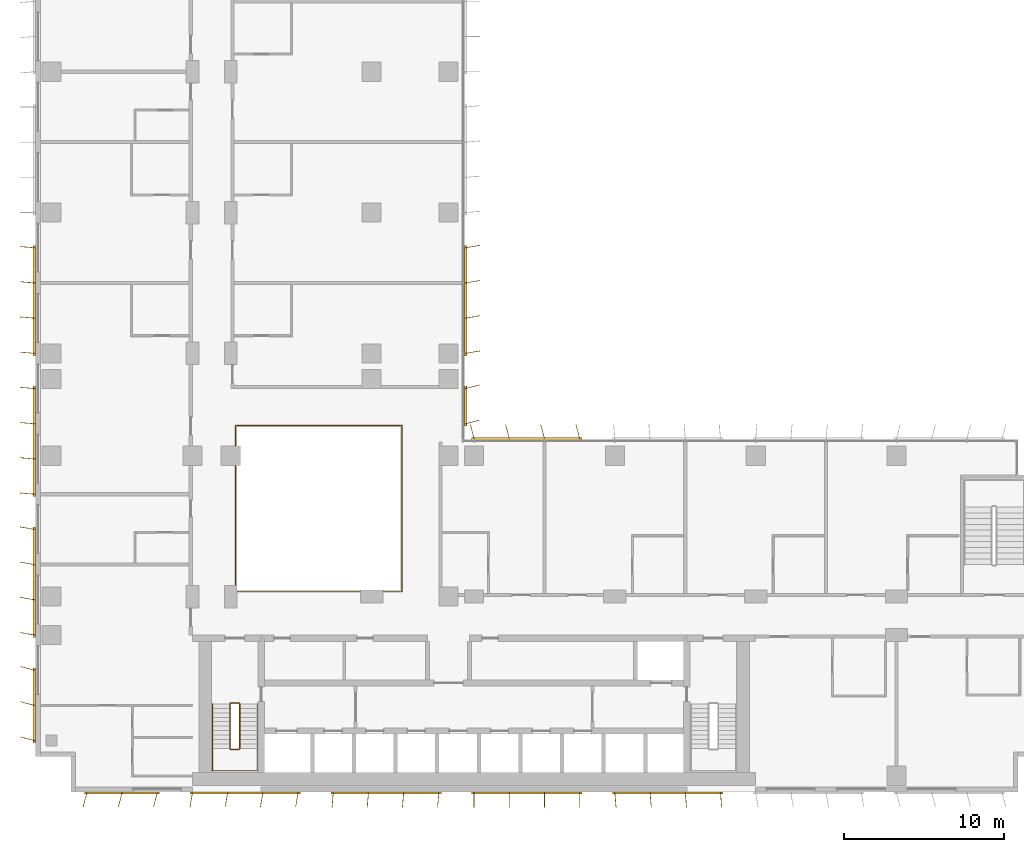
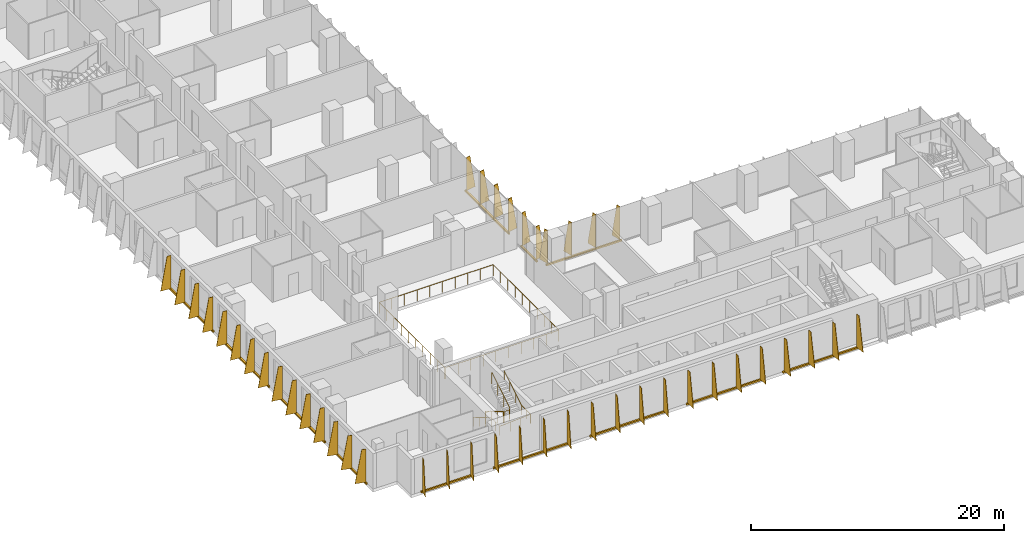
# One storey, part 19 of 22: 12 shading devices, 3 railings.
"""IFC4 building model written with IfcOpenShell, lengths in metres."""

from ifc_helpers import new_model, si_unit, direction, frame, origin, origin_2d, place, context, subcontext, project, spatial, polyline, rectangle, circle, outline, extrude, source, transform, mapped, material, layer, layer_set, type_object, element, save


model = new_model("IFC4")

# Units and contexts
model_context = context("Model", 3, precision=1e-05, world=origin(), true_north=direction((0.0, 1.0)))
body_context = subcontext(model_context, "Body", "Model", "MODEL_VIEW")
ifc_project = project(units=[si_unit("LENGTHUNIT", "METRE"), si_unit("AREAUNIT", "SQUARE_METRE"), si_unit("VOLUMEUNIT", "CUBIC_METRE"), si_unit("PLANEANGLEUNIT", "RADIAN"), si_unit("MASSUNIT", "GRAM", prefix="KILO")], contexts=[model_context])

# Site, building, storey
site_placement = place(None, origin())
site = spatial("IfcSite", under=ifc_project, at=site_placement, CompositionType="ELEMENT")
building_placement = place(site_placement, origin())
building = spatial("IfcBuilding", under=site, at=building_placement, Name="Kemantara Hotel Tower", CompositionType="ELEMENT")
storey_placement = place(building_placement, frame((0.0, 0.0, 87.10009765625)))
storey = spatial("IfcBuildingStorey", under=building, at=storey_placement, Name="L20", CompositionType="ELEMENT", Elevation=87.10009765625)

# Railings
ifc_material_1 = material(Name="Stainless steel and laminated glass balustrade", Category="steel")
railing_type_1 = type_object("IfcRailingType", Name="ATRIUM GUARD 1100", PredefinedType="GUARDRAIL", material=ifc_material_1)
railing_1_placement = place(storey_placement, frame((12.56005859375, 12.5, 0.0)))
element("IfcRailing", 1, at=railing_1_placement, inside=storey, type_object=railing_type_1, Name="ATRIUM GUARD L20", PredefinedType="GUARDRAIL", context=body_context, shape_type="SweptSolid", body=[
    extrude(circle(Radius=0.02490234375, at=origin_2d()), frame((0.0, 0.0, 1.0751953125), z_axis=(1.0, 0.0, 0.0), x_axis=(0.0, 1.0, 0.0)), (0.0, 0.0, 1.0), 10.33984375),
    extrude(circle(Radius=0.02490234375, at=origin_2d()), frame((10.33984375, 0.0, 1.0751953125), z_axis=(0.0, 1.0, 0.0), x_axis=(-1.0, 0.0, 0.0)), (0.0, 0.0, 1.0), 10.39990234375),
    extrude(circle(Radius=0.02490234375, at=origin_2d()), frame((10.33984375, 10.39990234375, 1.0751953125), z_axis=(-1.0, 0.0, 0.0), x_axis=(0.0, -1.0, 0.0)), (0.0, 0.0, 1.0), 10.39990234375),
    extrude(circle(Radius=0.02490234375, at=origin_2d()), frame((-0.06005859375, 10.39990234375, 1.0751953125), z_axis=(0.0, -1.0, 0.0), x_axis=(1.0, 0.0, 0.0)), (0.0, 0.0, 1.0), 10.39990234375),
    extrude(circle(Radius=0.02001953125, at=origin_2d()), origin(), (0.0, 0.0, 1.0), 1.050048828125),
    extrude(circle(Radius=0.02001953125, at=origin_2d()), frame((1.14892578125, 0.0, 0.0)), (0.0, 0.0, 1.0), 1.050048828125),
    extrude(circle(Radius=0.02001953125, at=origin_2d()), frame((2.2978515625, 0.0, 0.0)), (0.0, 0.0, 1.0), 1.050048828125),
    extrude(circle(Radius=0.02001953125, at=origin_2d()), frame((3.446533203125, 0.0, 0.0)), (0.0, 0.0, 1.0), 1.050048828125),
    extrude(circle(Radius=0.02001953125, at=origin_2d()), frame((4.595458984375, 0.0, 0.0)), (0.0, 0.0, 1.0), 1.050048828125),
    extrude(circle(Radius=0.02001953125, at=origin_2d()), frame((5.744384765625, 0.0, 0.0)), (0.0, 0.0, 1.0), 1.050048828125),
    extrude(circle(Radius=0.02001953125, at=origin_2d()), frame((6.893310546875, 0.0, 0.0)), (0.0, 0.0, 1.0), 1.050048828125),
    extrude(circle(Radius=0.02001953125, at=origin_2d()), frame((8.0419921875, 0.0, 0.0)), (0.0, 0.0, 1.0), 1.050048828125),
    extrude(circle(Radius=0.02001953125, at=origin_2d()), frame((9.19091796875, 0.0, 0.0)), (0.0, 0.0, 1.0), 1.050048828125),
    extrude(circle(Radius=0.02001953125, at=origin_2d()), frame((10.33984375, 0.0, 0.0)), (0.0, 0.0, 1.0), 1.050048828125),
    extrude(circle(Radius=0.02001953125, at=origin_2d()), frame((10.33984375, 1.155517578125, 0.0)), (0.0, 0.0, 1.0), 1.050048828125),
    extrude(circle(Radius=0.02001953125, at=origin_2d()), frame((10.33984375, 2.31103515625, 0.0)), (0.0, 0.0, 1.0), 1.050048828125),
    extrude(circle(Radius=0.02001953125, at=origin_2d()), frame((10.33984375, 3.466552734375, 0.0)), (0.0, 0.0, 1.0), 1.050048828125),
    extrude(circle(Radius=0.02001953125, at=origin_2d()), frame((10.33984375, 4.6220703125, 0.0)), (0.0, 0.0, 1.0), 1.050048828125),
    extrude(circle(Radius=0.02001953125, at=origin_2d()), frame((10.33984375, 5.77783203125, 0.0)), (0.0, 0.0, 1.0), 1.050048828125),
    extrude(circle(Radius=0.02001953125, at=origin_2d()), frame((10.33984375, 6.933349609375, 0.0)), (0.0, 0.0, 1.0), 1.050048828125),
    extrude(circle(Radius=0.02001953125, at=origin_2d()), frame((10.33984375, 8.0888671875, 0.0)), (0.0, 0.0, 1.0), 1.050048828125),
    extrude(circle(Radius=0.02001953125, at=origin_2d()), frame((10.33984375, 9.244384765625, 0.0)), (0.0, 0.0, 1.0), 1.050048828125),
    extrude(circle(Radius=0.02001953125, at=origin_2d()), frame((10.33984375, 10.39990234375, 0.0)), (0.0, 0.0, 1.0), 1.050048828125),
    extrude(circle(Radius=0.02001953125, at=origin_2d()), frame((9.184326171875, 10.39990234375, 0.0)), (0.0, 0.0, 1.0), 1.050048828125),
    extrude(circle(Radius=0.02001953125, at=origin_2d()), frame((8.02880859375, 10.39990234375, 0.0)), (0.0, 0.0, 1.0), 1.050048828125),
    extrude(circle(Radius=0.02001953125, at=origin_2d()), frame((6.873291015625, 10.39990234375, 0.0)), (0.0, 0.0, 1.0), 1.050048828125),
    extrude(circle(Radius=0.02001953125, at=origin_2d()), frame((5.7177734375, 10.39990234375, 0.0)), (0.0, 0.0, 1.0), 1.050048828125),
    extrude(circle(Radius=0.02001953125, at=origin_2d()), frame((4.56201171875, 10.39990234375, 0.0)), (0.0, 0.0, 1.0), 1.050048828125),
    extrude(circle(Radius=0.02001953125, at=origin_2d()), frame((3.406494140625, 10.39990234375, 0.0)), (0.0, 0.0, 1.0), 1.050048828125),
    extrude(circle(Radius=0.02001953125, at=origin_2d()), frame((2.2509765625, 10.39990234375, 0.0)), (0.0, 0.0, 1.0), 1.050048828125),
    extrude(circle(Radius=0.02001953125, at=origin_2d()), frame((1.095458984375, 10.39990234375, 0.0)), (0.0, 0.0, 1.0), 1.050048828125),
    extrude(circle(Radius=0.02001953125, at=origin_2d()), frame((-0.06005859375, 10.39990234375, 0.0)), (0.0, 0.0, 1.0), 1.050048828125),
    extrude(circle(Radius=0.02001953125, at=origin_2d()), frame((-0.06005859375, 9.244384765625, 0.0)), (0.0, 0.0, 1.0), 1.050048828125),
    extrude(circle(Radius=0.02001953125, at=origin_2d()), frame((-0.06005859375, 8.0888671875, 0.0)), (0.0, 0.0, 1.0), 1.050048828125),
    extrude(circle(Radius=0.02001953125, at=origin_2d()), frame((-0.06005859375, 6.933349609375, 0.0)), (0.0, 0.0, 1.0), 1.050048828125),
    extrude(circle(Radius=0.02001953125, at=origin_2d()), frame((-0.06005859375, 5.77783203125, 0.0)), (0.0, 0.0, 1.0), 1.050048828125),
    extrude(circle(Radius=0.02001953125, at=origin_2d()), frame((-0.06005859375, 4.6220703125, 0.0)), (0.0, 0.0, 1.0), 1.050048828125),
    extrude(circle(Radius=0.02001953125, at=origin_2d()), frame((-0.06005859375, 3.466552734375, 0.0)), (0.0, 0.0, 1.0), 1.050048828125),
    extrude(circle(Radius=0.02001953125, at=origin_2d()), frame((-0.06005859375, 2.31103515625, 0.0)), (0.0, 0.0, 1.0), 1.050048828125),
    extrude(circle(Radius=0.02001953125, at=origin_2d()), frame((-0.06005859375, 1.155517578125, 0.0)), (0.0, 0.0, 1.0), 1.050048828125),
    extrude(circle(Radius=0.02001953125, at=origin_2d()), frame((-0.06005859375, 0.0, 0.0)), (0.0, 0.0, 1.0), 1.050048828125),
])
ifc_material_2 = material(Name="Stainless steel balustrade", Category="steel")
railing_type_2 = type_object("IfcRailingType", Name="Stair guard 1100 mm", PredefinedType="GUARDRAIL", material=ifc_material_2)
railing_2_placement = place(storey_placement, frame((12.75, 5.5, 3.699951171875)))
element("IfcRailing", 2, at=railing_2_placement, inside=storey, type_object=railing_type_2, Name="L20 ST1 stair guard 1", PredefinedType="GUARDRAIL", context=body_context, shape_type="SweptSolid", body=[
    extrude(circle(Radius=0.02392578125, at=origin_2d()), frame((0.0, 0.0, 1.076171875), z_axis=(0.0, -0.857242210791, -0.514913383045), x_axis=(1.0, 0.0, 0.0)), (0.0, 0.0, 1.0), 3.266357421875),
    extrude(circle(Radius=0.02392578125, at=origin_2d()), frame((0.0, -2.800048828125, -0.60595703125), z_axis=(-0.274243871929, -0.274243871929, -0.92172696468), x_axis=(0.707106781187, -0.707106781187, 0.0)), (0.0, 0.0, 1.0), 0.1826171875),
    extrude(circle(Radius=0.02392578125, at=origin_2d()), frame((-0.050048828125, -2.85009765625, -0.77392578125), z_axis=(-1.0, 0.0, 0.0), x_axis=(0.0, -1.0, 0.0)), (0.0, 0.0, 1.0), 0.5),
    extrude(circle(Radius=0.02392578125, at=origin_2d()), frame((-0.550048828125, -2.85009765625, -0.77392578125), z_axis=(-0.707106781187, 0.707106781187, 0.0), x_axis=(-0.707106781187, -0.707106781187, 0.0)), (0.0, 0.0, 1.0), 0.07080078125),
    extrude(circle(Radius=0.02392578125, at=origin_2d()), frame((-0.60009765625, -2.800048828125, -0.77392578125), z_axis=(0.0, 0.857242210791, -0.514913383045), x_axis=(-1.0, 0.0, 0.0)), (0.0, 0.0, 1.0), 3.266357421875),
    extrude(circle(Radius=0.02392578125, at=origin_2d()), frame((-0.60009765625, 0.0, -2.4560546875), z_axis=(0.274582412415, 0.274582412415, -0.921525364591), x_axis=(-0.707106781187, 0.707106781187, 0.0)), (0.0, 0.0, 1.0), 0.182373046875),
    extrude(circle(Radius=0.02392578125, at=origin_2d()), frame((-0.550048828125, 0.050048828125, -2.6240234375), z_axis=(1.0, 0.0, 0.0), x_axis=(0.0, 1.0, 0.0)), (0.0, 0.0, 1.0), 0.5),
    extrude(circle(Radius=0.02099609375, at=origin_2d()), origin(), (0.0, 0.0, 1.0), 1.052001953125),
    extrude(circle(Radius=0.02099609375, at=origin_2d()), frame((0.0, -0.933349609375, -0.560546875)), (0.0, 0.0, 1.0), 1.052001953125),
    extrude(circle(Radius=0.02099609375, at=origin_2d()), frame((0.0, -1.86669921875, -1.121337890625)), (0.0, 0.0, 1.0), 1.052001953125),
    extrude(circle(Radius=0.02099609375, at=origin_2d()), frame((0.0, -2.800048828125, -1.681884765625)), (0.0, 0.0, 1.0), 1.052001953125),
    extrude(circle(Radius=0.02099609375, at=origin_2d()), frame((-0.050048828125, -2.85009765625, -1.85009765625)), (0.0, 0.0, 1.0), 1.052001953125),
    extrude(circle(Radius=0.02099609375, at=origin_2d()), frame((-0.550048828125, -2.85009765625, -1.85009765625)), (0.0, 0.0, 1.0), 1.052001953125),
    extrude(circle(Radius=0.02099609375, at=origin_2d()), frame((-0.60009765625, -2.800048828125, -1.85009765625)), (0.0, 0.0, 1.0), 1.052001953125),
    extrude(circle(Radius=0.02099609375, at=origin_2d()), frame((-0.60009765625, -1.86669921875, -2.41064453125)), (0.0, 0.0, 1.0), 1.052001953125),
    extrude(circle(Radius=0.02099609375, at=origin_2d()), frame((-0.60009765625, -0.933349609375, -2.971435546875)), (0.0, 0.0, 1.0), 1.052001953125),
    extrude(circle(Radius=0.02099609375, at=origin_2d()), frame((-0.60009765625, 0.0, -3.531982421875)), (0.0, 0.0, 1.0), 1.052001953125),
    extrude(circle(Radius=0.02099609375, at=origin_2d()), frame((-0.550048828125, 0.050048828125, -3.699951171875)), (0.0, 0.0, 1.0), 1.052001953125),
    extrude(circle(Radius=0.02099609375, at=origin_2d()), frame((-0.050048828125, 0.050048828125, -3.699951171875)), (0.0, 0.0, 1.0), 1.052001953125),
])
railing_type_3 = type_object("IfcRailingType", Name="Stair handrail 900 mm", PredefinedType="HANDRAIL", material=ifc_material_2)
railing_3_placement = place(storey_placement, frame((11.050048828125, 5.5, 0.16796875)))
element("IfcRailing", 3, at=railing_3_placement, inside=storey, type_object=railing_type_3, Name="L20 ST1 stair handrail 1", PredefinedType="HANDRAIL", context=body_context, shape_type="SweptSolid", body=[
    extrude(circle(Radius=0.02392578125, at=origin_2d()), frame((0.0, 0.0, 0.8759765625), z_axis=(0.0, -0.857242210791, 0.514913383045), x_axis=(1.0, 0.0, 0.0)), (0.0, 0.0, 1.0), 3.266357421875),
    extrude(circle(Radius=0.02392578125, at=origin_2d()), frame((0.0, -2.800048828125, 2.5576171875), z_axis=(0.0, -1.0, 0.0), x_axis=(1.0, 0.0, 0.0)), (0.0, 0.0, 1.0), 1.3798828125),
    extrude(circle(Radius=0.02392578125, at=origin_2d()), frame((0.0, -4.179931640625, 2.5576171875), z_axis=(0.998200367801, 0.0, 0.059966871865), x_axis=(0.0, 1.0, 0.0)), (0.0, 0.0, 1.0), 2.80517578125),
    extrude(circle(Radius=0.02392578125, at=origin_2d()), frame((2.800048828125, -4.179931640625, 2.72607421875), z_axis=(0.0, 1.0, 0.0), x_axis=(-1.0, 0.0, 0.0)), (0.0, 0.0, 1.0), 1.3798828125),
    extrude(circle(Radius=0.02392578125, at=origin_2d()), frame((2.800048828125, -2.800048828125, 2.72607421875), z_axis=(0.0, 0.857242210791, 0.514913383045), x_axis=(-1.0, 0.0, 0.0)), (0.0, 0.0, 1.0), 3.266357421875),
    extrude(circle(Radius=0.02099609375, at=origin_2d()), origin(), (0.0, 0.0, 1.0), 0.851806640625),
    extrude(circle(Radius=0.02099609375, at=origin_2d()), frame((0.0, -0.933349609375, 0.560546875)), (0.0, 0.0, 1.0), 0.851806640625),
    extrude(circle(Radius=0.02099609375, at=origin_2d()), frame((0.0, -1.86669921875, 1.121337890625)), (0.0, 0.0, 1.0), 0.851806640625),
    extrude(circle(Radius=0.02099609375, at=origin_2d()), frame((0.0, -2.800048828125, 1.681884765625)), (0.0, 0.0, 1.0), 0.851806640625),
    extrude(circle(Radius=0.02099609375, at=origin_2d()), frame((0.0, -3.489990234375, 1.681884765625)), (0.0, 0.0, 1.0), 0.851806640625),
    extrude(circle(Radius=0.02099609375, at=origin_2d()), frame((0.0, -4.179931640625, 1.681884765625)), (0.0, 0.0, 1.0), 0.851806640625),
    extrude(circle(Radius=0.02099609375, at=origin_2d()), frame((0.933349609375, -4.179931640625, 1.738037109375)), (0.0, 0.0, 1.0), 0.851806640625),
    extrude(circle(Radius=0.02099609375, at=origin_2d()), frame((1.86669921875, -4.179931640625, 1.7939453125)), (0.0, 0.0, 1.0), 0.851806640625),
    extrude(circle(Radius=0.02099609375, at=origin_2d()), frame((2.800048828125, -4.179931640625, 1.85009765625)), (0.0, 0.0, 1.0), 0.851806640625),
    extrude(circle(Radius=0.02099609375, at=origin_2d()), frame((2.800048828125, -3.489990234375, 1.85009765625)), (0.0, 0.0, 1.0), 0.851806640625),
    extrude(circle(Radius=0.02099609375, at=origin_2d()), frame((2.800048828125, -2.800048828125, 1.85009765625)), (0.0, 0.0, 1.0), 0.851806640625),
    extrude(circle(Radius=0.02099609375, at=origin_2d()), frame((2.800048828125, -1.86669921875, 2.41064453125)), (0.0, 0.0, 1.0), 0.851806640625),
    extrude(circle(Radius=0.02099609375, at=origin_2d()), frame((2.800048828125, -0.933349609375, 2.971435546875)), (0.0, 0.0, 1.0), 0.851806640625),
    extrude(circle(Radius=0.02099609375, at=origin_2d()), frame((2.800048828125, 0.0, 3.531982421875)), (0.0, 0.0, 1.0), 0.851806640625),
])

# Shading devices
ifc_material_3 = material(Name="Perforated aluminium plate 4 mm bronze anodised", Category="aluminium")
ifc_layer_1 = layer(ifc_material_3, 0.0400390625)
ifc_layer_set_1 = layer_set([ifc_layer_1], Name="Perforated aluminium plate 4 mm bronze anodised")
shading_device_type_1 = type_object("IfcShadingDeviceType", Name="SCREEN FIN CASSETTE, 3 BLADES AT -15.0 DEG, 3200 HIGH", PredefinedType="USERDEFINED", material=ifc_layer_set_1)
shared_shape_1 = source(origin(), body_context, "Body", "SweptSolid", [
    extrude(rectangle(XDim=4.699951171875, YDim=0.14990234375, at=origin_2d()), frame((2.199951171875, -0.074951171875, -0.14990234375), z_axis=(0.0, 0.0, 1.0), x_axis=(1.0, 0.0, 0.0)), (0.0, 0.0, 1.0), 0.14990234375),
    extrude(outline(polyline([(0.0, 0.0), (0.89990234375, 0.0), (0.35009765625, 3.199951171875), (0.0, 3.199951171875), (0.0, 0.0)])), frame((0.019287109375, -0.080078125, 0.0), z_axis=(-0.966437683387, 0.256901156343, 0.0), x_axis=(-0.256901156343, -0.966437683387, 0.0)), (0.0, 0.0, 1.0), 0.039794921875),
    extrude(outline(polyline([(0.0, 0.0), (0.89990234375, 0.0), (0.35009765625, 3.199951171875), (0.0, 3.199951171875), (0.0, 0.0)])), frame((2.21923828125, -0.080078125, 0.0), z_axis=(-0.966437683387, 0.256901156343, 0.0), x_axis=(-0.256901156343, -0.966437683387, 0.0)), (0.0, 0.0, 1.0), 0.039794921875),
    extrude(outline(polyline([(0.0, 0.0), (0.89990234375, 0.0), (0.35009765625, 3.199951171875), (0.0, 3.199951171875), (0.0, 0.0)])), frame((4.41943359375, -0.080078125, 0.0), z_axis=(-0.966837822169, 0.255391122837, 0.0), x_axis=(-0.255391122837, -0.966837822169, 0.0)), (0.0, 0.0, 1.0), 0.0400390625),
])
for number, where, z_axis, x_axis, name in (
    (4, (0.0, 7.60009765625, 0.099853515625), (0.0, 0.0, 1.0), (0.0, -1.0, 0.0), "SCREEN FIN CASSETTE L20 T2-R04-9"),
    (5, (3.199951171875, 0.0, 0.099853515625), (0.0, 0.0, 1.0), (1.0, 0.0, 0.0), "SCREEN FIN CASSETTE L20 T2-R07-1"),
):
    element("IfcShadingDevice", number, at=place(storey_placement, frame(where, z_axis=z_axis, x_axis=x_axis)), inside=storey, type_object=shading_device_type_1, Name=name, ObjectType="SCREEN FIN", PredefinedType="USERDEFINED", context=body_context, shape_type="MappedRepresentation", body=[
        mapped(shared_shape_1, transform((0.0, 0.0, 0.0))),
    ])
ifc_layer_2 = layer(ifc_material_3, 0.0400390625)
ifc_layer_set_2 = layer_set([ifc_layer_2], Name="Perforated aluminium plate 4 mm bronze anodised")
shading_device_type_2 = type_object("IfcShadingDeviceType", Name="SCREEN FIN CASSETTE, 4 BLADES AT -10.0 DEG, 3200 HIGH", PredefinedType="USERDEFINED", material=ifc_layer_set_2)
shared_shape_2 = source(origin(), body_context, "Body", "SweptSolid", [
    extrude(rectangle(XDim=6.89990234375, YDim=0.14990234375, at=origin_2d()), frame((3.300048828125, -0.074951171875, -0.14990234375), z_axis=(0.0, 0.0, 1.0), x_axis=(1.0, 0.0, 0.0)), (0.0, 0.0, 1.0), 0.14990234375),
    extrude(outline(polyline([(0.0, 0.0), (0.89990234375, 0.0), (0.35009765625, 3.199951171875), (0.0, 3.199951171875), (0.0, 0.0)])), frame((0.019775390625, -0.078369140625, 0.0), z_axis=(-0.985389793052, 0.170314285219, 0.0), x_axis=(-0.170314285219, -0.985389793052, 0.0)), (0.0, 0.0, 1.0), 0.0400390625),
    extrude(outline(polyline([(0.0, 0.0), (0.89990234375, 0.0), (0.35009765625, 3.199951171875), (0.0, 3.199951171875), (0.0, 0.0)])), frame((2.2197265625, -0.078369140625, 0.0), z_axis=(-0.98521175482, 0.171341174751, 0.0), x_axis=(-0.171341174751, -0.98521175482, 0.0)), (0.0, 0.0, 1.0), 0.039794921875),
    extrude(outline(polyline([(0.0, 0.0), (0.89990234375, 0.0), (0.35009765625, 3.199951171875), (0.0, 3.199951171875), (0.0, 0.0)])), frame((4.419677734375, -0.078369140625, 0.0), z_axis=(-0.98521175482, 0.171341174751, 0.0), x_axis=(-0.171341174751, -0.98521175482, 0.0)), (0.0, 0.0, 1.0), 0.039794921875),
    extrude(outline(polyline([(0.0, 0.0), (0.89990234375, 0.0), (0.35009765625, 3.199951171875), (0.0, 3.199951171875), (0.0, 0.0)])), frame((6.61962890625, -0.078369140625, 0.0), z_axis=(-0.98521175482, 0.171341174751, 0.0), x_axis=(-0.171341174751, -0.98521175482, 0.0)), (0.0, 0.0, 1.0), 0.039794921875),
])
for number, where, z_axis, x_axis, name in (
    (6, (0.0, 16.39990234375, 0.099853515625), (0.0, 0.0, 1.0), (0.0, -1.0, 0.0), "SCREEN FIN CASSETTE L20 T2-R04-8"),
    (7, (9.800048828125, 0.0, 0.099853515625), (0.0, 0.0, 1.0), (1.0, 0.0, 0.0), "SCREEN FIN CASSETTE L20 T2-R07-2"),
):
    element("IfcShadingDevice", number, at=place(storey_placement, frame(where, z_axis=z_axis, x_axis=x_axis)), inside=storey, type_object=shading_device_type_2, Name=name, ObjectType="SCREEN FIN", PredefinedType="USERDEFINED", context=body_context, shape_type="MappedRepresentation", body=[
        mapped(shared_shape_2, transform((0.0, 0.0, 0.0))),
    ])
ifc_layer_3 = layer(ifc_material_3, 0.0400390625)
ifc_layer_set_3 = layer_set([ifc_layer_3], Name="Perforated aluminium plate 4 mm bronze anodised")
shading_device_type_3 = type_object("IfcShadingDeviceType", Name="SCREEN FIN CASSETTE, 4 BLADES AT -5.0 DEG, 3200 HIGH", PredefinedType="USERDEFINED", material=ifc_layer_set_3)
shared_shape_3 = source(origin(), body_context, "Body", "SweptSolid", [
    extrude(rectangle(XDim=6.89990234375, YDim=0.14990234375, at=origin_2d()), frame((3.300048828125, -0.074951171875, -0.14990234375), z_axis=(0.0, 0.0, 1.0), x_axis=(1.0, 0.0, 0.0)), (0.0, 0.0, 1.0), 0.14990234375),
    extrude(outline(polyline([(0.0, 0.0), (0.89990234375, 0.0), (0.35009765625, 3.199951171875), (0.0, 3.199951171875), (0.0, 0.0)])), frame((0.02001953125, -0.07666015625, 0.0), z_axis=(-0.996376129781, 0.085056498884, 0.0), x_axis=(-0.085056498884, -0.996376129781, 0.0)), (0.0, 0.0, 1.0), 0.040283203125),
    extrude(outline(polyline([(0.0, 0.0), (0.89990234375, 0.0), (0.35009765625, 3.199951171875), (0.0, 3.199951171875), (0.0, 0.0)])), frame((2.219970703125, -0.07666015625, 0.0), z_axis=(-0.996331773833, 0.085574508182, 0.0), x_axis=(-0.085574508182, -0.996331773833, 0.0)), (0.0, 0.0, 1.0), 0.0400390625),
    extrude(outline(polyline([(0.0, 0.0), (0.89990234375, 0.0), (0.35009765625, 3.199951171875), (0.0, 3.199951171875), (0.0, 0.0)])), frame((4.419921875, -0.07666015625, 0.0), z_axis=(-0.996331773833, 0.085574508182, 0.0), x_axis=(-0.085574508182, -0.996331773833, 0.0)), (0.0, 0.0, 1.0), 0.0400390625),
    extrude(outline(polyline([(0.0, 0.0), (0.89990234375, 0.0), (0.35009765625, 3.199951171875), (0.0, 3.199951171875), (0.0, 0.0)])), frame((6.619873046875, -0.07666015625, 0.0), z_axis=(-0.996331773833, 0.085574508182, 0.0), x_axis=(-0.085574508182, -0.996331773833, 0.0)), (0.0, 0.0, 1.0), 0.0400390625),
])
for number, where, z_axis, x_axis, name in (
    (8, (0.0, 34.0, 0.099853515625), (0.0, 0.0, 1.0), (0.0, -1.0, 0.0), "SCREEN FIN CASSETTE L20 T2-R04-6"),
    (9, (0.0, 25.199951171875, 0.099853515625), (0.0, 0.0, 1.0), (0.0, -1.0, 0.0), "SCREEN FIN CASSETTE L20 T2-R04-7"),
    (10, (18.60009765625, 0.0, 0.099853515625), (0.0, 0.0, 1.0), (1.0, 0.0, 0.0), "SCREEN FIN CASSETTE L20 T2-R07-3"),
):
    element("IfcShadingDevice", number, at=place(storey_placement, frame(where, z_axis=z_axis, x_axis=x_axis)), inside=storey, type_object=shading_device_type_3, Name=name, ObjectType="SCREEN FIN", PredefinedType="USERDEFINED", context=body_context, shape_type="MappedRepresentation", body=[
        mapped(shared_shape_3, transform((0.0, 0.0, 0.0))),
    ])
ifc_layer_4 = layer(ifc_material_3, 0.0400390625)
ifc_layer_set_4 = layer_set([ifc_layer_4], Name="Perforated aluminium plate 4 mm bronze anodised")
shading_device_type_4 = type_object("IfcShadingDeviceType", Name="SCREEN FIN CASSETTE, 4 BLADES AT +0.0 DEG, 3200 HIGH", PredefinedType="USERDEFINED", material=ifc_layer_set_4)
shared_shape_4 = source(origin(), body_context, "Body", "SweptSolid", [
    extrude(rectangle(XDim=6.89990234375, YDim=0.14990234375, at=origin_2d()), frame((3.300048828125, -0.074951171875, -0.14990234375), z_axis=(0.0, 0.0, 1.0), x_axis=(1.0, 0.0, 0.0)), (0.0, 0.0, 1.0), 0.14990234375),
    extrude(outline(polyline([(0.0, 0.0), (0.89990234375, 0.0), (0.35009765625, 3.199951171875), (0.0, 3.199951171875), (0.0, 0.0)])), frame((0.02001953125, -0.074951171875, 0.0), z_axis=(-1.0, 0.0, 0.0), x_axis=(0.0, -1.0, 0.0)), (0.0, 0.0, 1.0), 0.0400390625),
    extrude(outline(polyline([(0.0, 0.0), (0.89990234375, 0.0), (0.35009765625, 3.199951171875), (0.0, 3.199951171875), (0.0, 0.0)])), frame((2.219970703125, -0.074951171875, 0.0), z_axis=(-1.0, 0.0, 0.0), x_axis=(0.0, -1.0, 0.0)), (0.0, 0.0, 1.0), 0.0400390625),
    extrude(outline(polyline([(0.0, 0.0), (0.89990234375, 0.0), (0.35009765625, 3.199951171875), (0.0, 3.199951171875), (0.0, 0.0)])), frame((4.419921875, -0.074951171875, 0.0), z_axis=(-1.0, 0.0, 0.0), x_axis=(0.0, -1.0, 0.0)), (0.0, 0.0, 1.0), 0.0400390625),
    extrude(outline(polyline([(0.0, 0.0), (0.89990234375, 0.0), (0.35009765625, 3.199951171875), (0.0, 3.199951171875), (0.0, 0.0)])), frame((6.6201171875, -0.074951171875, 0.0), z_axis=(-1.0, 0.0, 0.0), x_axis=(0.0, -1.0, 0.0)), (0.0, 0.0, 1.0), 0.0400390625),
])
shading_device_1_placement = place(storey_placement, frame((27.39990234375, 0.0, 0.099853515625), z_axis=(0.0, 0.0, 1.0), x_axis=(1.0, 0.0, 0.0)))
element("IfcShadingDevice", 11, at=shading_device_1_placement, inside=storey, type_object=shading_device_type_4, Name="SCREEN FIN CASSETTE L20 T2-R07-4", ObjectType="SCREEN FIN", PredefinedType="USERDEFINED", context=body_context, shape_type="MappedRepresentation", body=[
    mapped(shared_shape_4, transform((0.0, 0.0, 0.0))),
])
ifc_layer_5 = layer(ifc_material_3, 0.0400390625)
ifc_layer_set_5 = layer_set([ifc_layer_5], Name="Perforated aluminium plate 4 mm bronze anodised")
shading_device_type_5 = type_object("IfcShadingDeviceType", Name="SCREEN FIN CASSETTE, 4 BLADES AT +5.0 DEG, 3200 HIGH", PredefinedType="USERDEFINED", material=ifc_layer_set_5)
shared_shape_5 = source(origin(), body_context, "Body", "SweptSolid", [
    extrude(rectangle(XDim=6.89990234375, YDim=0.14990234375, at=origin_2d()), frame((3.300048828125, -0.074951171875, -0.14990234375), z_axis=(0.0, 0.0, 1.0), x_axis=(1.0, 0.0, 0.0)), (0.0, 0.0, 1.0), 0.14990234375),
    extrude(outline(polyline([(0.0, 0.0), (0.89990234375, 0.0), (0.35009765625, 3.199951171875), (0.0, 3.199951171875), (0.0, 0.0)])), frame((0.02001953125, -0.0732421875, 0.0), z_axis=(-0.996376129781, -0.085056498884, 0.0), x_axis=(0.085056498884, -0.996376129781, 0.0)), (0.0, 0.0, 1.0), 0.040283203125),
    extrude(outline(polyline([(0.0, 0.0), (0.89990234375, 0.0), (0.35009765625, 3.199951171875), (0.0, 3.199951171875), (0.0, 0.0)])), frame((2.219970703125, -0.0732421875, 0.0), z_axis=(-0.996331773833, -0.085574508182, 0.0), x_axis=(0.085574508182, -0.996331773833, 0.0)), (0.0, 0.0, 1.0), 0.0400390625),
    extrude(outline(polyline([(0.0, 0.0), (0.89990234375, 0.0), (0.35009765625, 3.199951171875), (0.0, 3.199951171875), (0.0, 0.0)])), frame((4.419921875, -0.0732421875, 0.0), z_axis=(-0.996331773833, -0.085574508182, 0.0), x_axis=(0.085574508182, -0.996331773833, 0.0)), (0.0, 0.0, 1.0), 0.0400390625),
    extrude(outline(polyline([(0.0, 0.0), (0.89990234375, 0.0), (0.35009765625, 3.199951171875), (0.0, 3.199951171875), (0.0, 0.0)])), frame((6.619873046875, -0.0732421875, 0.0), z_axis=(-0.996331773833, -0.085574508182, 0.0), x_axis=(0.085574508182, -0.996331773833, 0.0)), (0.0, 0.0, 1.0), 0.0400390625),
])
shading_device_2_placement = place(storey_placement, frame((36.199951171875, 0.0, 0.099853515625), z_axis=(0.0, 0.0, 1.0), x_axis=(1.0, 0.0, 0.0)))
element("IfcShadingDevice", 12, at=shading_device_2_placement, inside=storey, type_object=shading_device_type_5, Name="SCREEN FIN CASSETTE L20 T2-R07-5", ObjectType="SCREEN FIN", PredefinedType="USERDEFINED", context=body_context, shape_type="MappedRepresentation", body=[
    mapped(shared_shape_5, transform((0.0, 0.0, 0.0))),
])
ifc_layer_6 = layer(ifc_material_3, 0.0400390625)
ifc_layer_set_6 = layer_set([ifc_layer_6], Name="Perforated aluminium plate 4 mm bronze anodised")
shading_device_type_6 = type_object("IfcShadingDeviceType", Name="SCREEN FIN CASSETTE, 4 BLADES AT +10.0 DEG, 3200 HIGH", PredefinedType="USERDEFINED", material=ifc_layer_set_6)
shared_shape_6 = source(origin(), body_context, "Body", "SweptSolid", [
    extrude(rectangle(XDim=6.89990234375, YDim=0.14990234375, at=origin_2d()), frame((3.300048828125, -0.074951171875, -0.14990234375), z_axis=(0.0, 0.0, 1.0), x_axis=(1.0, 0.0, 0.0)), (0.0, 0.0, 1.0), 0.14990234375),
    extrude(outline(polyline([(0.0, 0.0), (0.89990234375, 0.0), (0.35009765625, 3.199951171875), (0.0, 3.199951171875), (0.0, 0.0)])), frame((0.019775390625, -0.071533203125, 0.0), z_axis=(-0.985389793052, -0.170314285219, 0.0), x_axis=(0.170314285219, -0.985389793052, 0.0)), (0.0, 0.0, 1.0), 0.0400390625),
    extrude(outline(polyline([(0.0, 0.0), (0.89990234375, 0.0), (0.35009765625, 3.199951171875), (0.0, 3.199951171875), (0.0, 0.0)])), frame((2.2197265625, -0.071533203125, 0.0), z_axis=(-0.98521175482, -0.171341174751, 0.0), x_axis=(0.171341174751, -0.98521175482, 0.0)), (0.0, 0.0, 1.0), 0.039794921875),
    extrude(outline(polyline([(0.0, 0.0), (0.89990234375, 0.0), (0.35009765625, 3.199951171875), (0.0, 3.199951171875), (0.0, 0.0)])), frame((4.419677734375, -0.071533203125, 0.0), z_axis=(-0.98521175482, -0.171341174751, 0.0), x_axis=(0.171341174751, -0.98521175482, 0.0)), (0.0, 0.0, 1.0), 0.039794921875),
    extrude(outline(polyline([(0.0, 0.0), (0.89990234375, 0.0), (0.35009765625, 3.199951171875), (0.0, 3.199951171875), (0.0, 0.0)])), frame((6.61962890625, -0.071533203125, 0.0), z_axis=(-0.98521175482, -0.171341174751, 0.0), x_axis=(0.171341174751, -0.98521175482, 0.0)), (0.0, 0.0, 1.0), 0.039794921875),
])
shading_device_3_placement = place(storey_placement, frame((26.800048828125, 27.39990234375, 0.099853515625), z_axis=(0.0, 0.0, 1.0), x_axis=(0.0, 1.0, 0.0)))
element("IfcShadingDevice", 13, at=shading_device_3_placement, inside=storey, type_object=shading_device_type_6, Name="SCREEN FIN CASSETTE L20 T2-R14-2", ObjectType="SCREEN FIN", PredefinedType="USERDEFINED", context=body_context, shape_type="MappedRepresentation", body=[
    mapped(shared_shape_6, transform((0.0, 0.0, 0.0))),
])
ifc_layer_7 = layer(ifc_material_3, 0.0400390625)
ifc_layer_set_7 = layer_set([ifc_layer_7], Name="Perforated aluminium plate 4 mm bronze anodised")
shading_device_type_7 = type_object("IfcShadingDeviceType", Name="SCREEN FIN CASSETTE, 4 BLADES AT +15.0 DEG, 3200 HIGH", PredefinedType="USERDEFINED", material=ifc_layer_set_7)
shared_shape_7 = source(origin(), body_context, "Body", "SweptSolid", [
    extrude(rectangle(XDim=6.89990234375, YDim=0.14990234375, at=origin_2d()), frame((3.300048828125, -0.074951171875, -0.14990234375), z_axis=(0.0, 0.0, 1.0), x_axis=(1.0, 0.0, 0.0)), (0.0, 0.0, 1.0), 0.14990234375),
    extrude(outline(polyline([(0.0, 0.0), (0.89990234375, 0.0), (0.35009765625, 3.199951171875), (0.0, 3.199951171875), (0.0, 0.0)])), frame((0.019287109375, -0.06982421875, 0.0), z_axis=(-0.966437683387, -0.256901156343, 0.0), x_axis=(0.256901156343, -0.966437683387, 0.0)), (0.0, 0.0, 1.0), 0.039794921875),
    extrude(outline(polyline([(0.0, 0.0), (0.89990234375, 0.0), (0.35009765625, 3.199951171875), (0.0, 3.199951171875), (0.0, 0.0)])), frame((2.21923828125, -0.06982421875, 0.0), z_axis=(-0.966437683387, -0.256901156343, 0.0), x_axis=(0.256901156343, -0.966437683387, 0.0)), (0.0, 0.0, 1.0), 0.039794921875),
    extrude(outline(polyline([(0.0, 0.0), (0.89990234375, 0.0), (0.35009765625, 3.199951171875), (0.0, 3.199951171875), (0.0, 0.0)])), frame((4.41943359375, -0.06982421875, 0.0), z_axis=(-0.966837822169, -0.255391122837, 0.0), x_axis=(0.255391122837, -0.966837822169, 0.0)), (0.0, 0.0, 1.0), 0.0400390625),
    extrude(outline(polyline([(0.0, 0.0), (0.89990234375, 0.0), (0.35009765625, 3.199951171875), (0.0, 3.199951171875), (0.0, 0.0)])), frame((6.619384765625, -0.06982421875, 0.0), z_axis=(-0.966837822169, -0.255391122837, 0.0), x_axis=(0.255391122837, -0.966837822169, 0.0)), (0.0, 0.0, 1.0), 0.0400390625),
])
shading_device_4_placement = place(storey_placement, frame((34.0, 22.0, 0.099853515625), z_axis=(0.0, 0.0, 1.0), x_axis=(-1.0, 0.0, 0.0)))
element("IfcShadingDevice", 14, at=shading_device_4_placement, inside=storey, type_object=shading_device_type_7, Name="SCREEN FIN CASSETTE L20 T2-R13-4", ObjectType="SCREEN FIN", PredefinedType="USERDEFINED", context=body_context, shape_type="MappedRepresentation", body=[
    mapped(shared_shape_7, transform((0.0, 0.0, 0.0))),
])
ifc_layer_8 = layer(ifc_material_3, 0.0400390625)
ifc_layer_set_8 = layer_set([ifc_layer_8], Name="Perforated aluminium plate 4 mm bronze anodised")
shading_device_type_8 = type_object("IfcShadingDeviceType", Name="SCREEN FIN CASSETTE, 2 BLADES AT +15.0 DEG, 3200 HIGH", PredefinedType="USERDEFINED", material=ifc_layer_set_8)
shared_shape_8 = source(origin(), body_context, "Body", "SweptSolid", [
    extrude(rectangle(XDim=2.5, YDim=0.14990234375, at=origin_2d()), frame((1.10009765625, -0.074951171875, -0.14990234375), z_axis=(0.0, 0.0, 1.0), x_axis=(1.0, 0.0, 0.0)), (0.0, 0.0, 1.0), 0.14990234375),
    extrude(outline(polyline([(0.0, 0.0), (0.89990234375, 0.0), (0.35009765625, 3.199951171875), (0.0, 3.199951171875), (0.0, 0.0)])), frame((0.019287109375, -0.06982421875, 0.0), z_axis=(-0.966437683387, -0.256901156343, 0.0), x_axis=(0.256901156343, -0.966437683387, 0.0)), (0.0, 0.0, 1.0), 0.039794921875),
    extrude(outline(polyline([(0.0, 0.0), (0.89990234375, 0.0), (0.35009765625, 3.199951171875), (0.0, 3.199951171875), (0.0, 0.0)])), frame((2.21923828125, -0.06982421875, 0.0), z_axis=(-0.966437683387, -0.256901156343, 0.0), x_axis=(0.256901156343, -0.966437683387, 0.0)), (0.0, 0.0, 1.0), 0.039794921875),
])
shading_device_5_placement = place(storey_placement, frame((26.800048828125, 23.0, 0.099853515625), z_axis=(0.0, 0.0, 1.0), x_axis=(0.0, 1.0, 0.0)))
element("IfcShadingDevice", 15, at=shading_device_5_placement, inside=storey, type_object=shading_device_type_8, Name="SCREEN FIN CASSETTE L20 T2-R14-1", ObjectType="SCREEN FIN", PredefinedType="USERDEFINED", context=body_context, shape_type="MappedRepresentation", body=[
    mapped(shared_shape_8, transform((0.0, 0.0, 0.0))),
])

save(model, "model.ifc")
